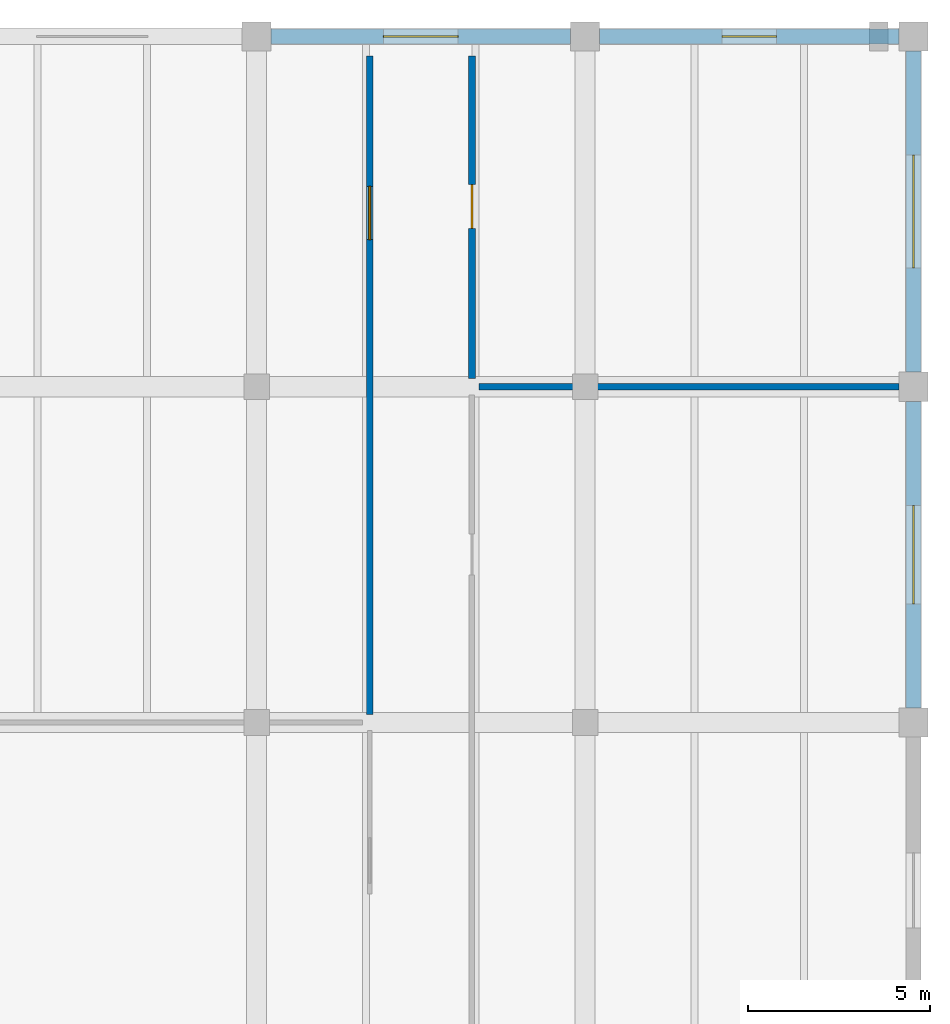
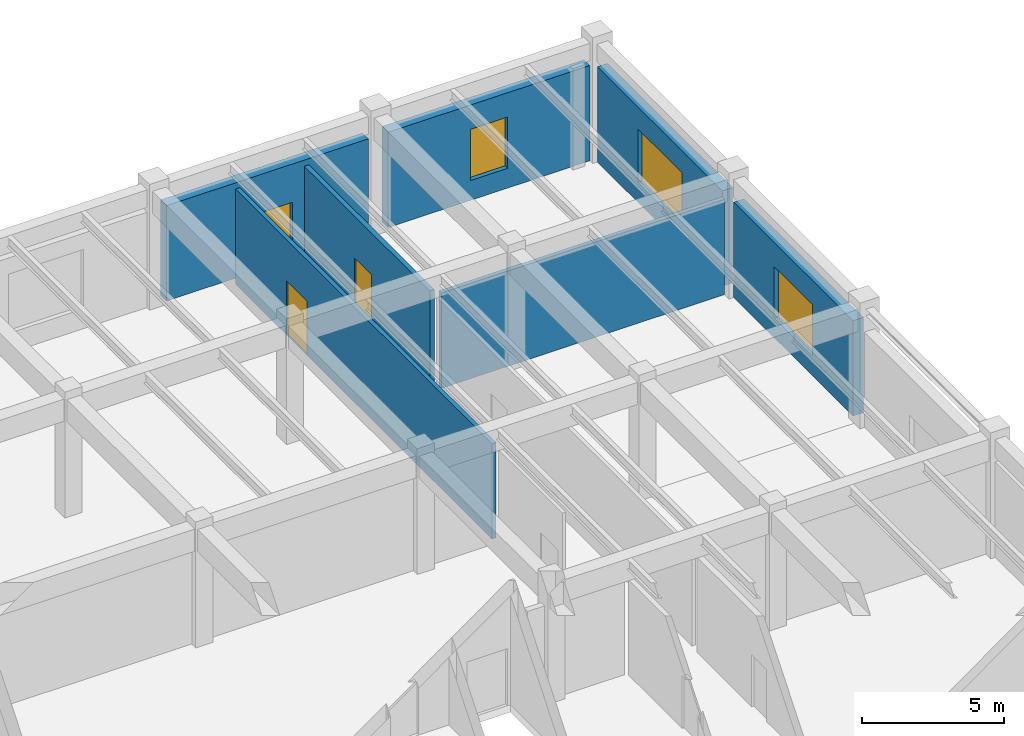
# One storey, part 64 of 76: 7 walls, 3 doors, 3 windows, 6 openings.
"""IFC4 building model written with IfcOpenShell, lengths in metres."""

from ifc_helpers import new_model, si_unit, direction, frame, frame_2d, origin, place, context, subcontext, project, spatial, rectangle, extrude, material, layer, layer_set, type_object, element, fill, save


model = new_model("IFC4")

# Units and contexts
model_context = context("Model", 3, precision=1e-05, world=origin(), true_north=direction((0.0, 1.0)))
body_context = subcontext(model_context, "Body", "Model", "MODEL_VIEW")
ifc_project = project(units=[si_unit("LENGTHUNIT", "METRE"), si_unit("AREAUNIT", "SQUARE_METRE"), si_unit("VOLUMEUNIT", "CUBIC_METRE"), si_unit("PLANEANGLEUNIT", "RADIAN"), si_unit("MASSUNIT", "GRAM", prefix="KILO")], contexts=[model_context])

# Site, building, storey
site_placement = place(None, origin())
site = spatial("IfcSite", under=ifc_project, at=site_placement, CompositionType="ELEMENT")
building_placement = place(site_placement, origin())
building = spatial("IfcBuilding", under=site, at=building_placement, Name="Bozkorgan Art Gallery", CompositionType="ELEMENT")
storey_placement = place(building_placement, origin())
storey = spatial("IfcBuildingStorey", under=building, at=storey_placement, Name="L00", CompositionType="ELEMENT", Elevation=0.0)

# Wall, opening, door
ifc_material_1 = material(Name="Acoustic Gypsum & Mineral Wool Partition")
ifc_layer_1 = layer(ifc_material_1, 0.169921875, Name="Acoustic Gypsum & Mineral Wool Partition")
ifc_layer_set_1 = layer_set([ifc_layer_1], Name="Acoustic Gypsum & Mineral Wool Partition")
wall_type_1 = type_object("IfcWallType", Name="IWALL-PR-40", PredefinedType="PARTITIONING", material=ifc_layer_set_1)
wall_1_placement = place(storey_placement, frame((149.10009765625, 93.820068359375, 0.0), z_axis=(0.0, 0.0, 1.0), x_axis=(0.0, 1.0, 0.0)))
wall_1 = element("IfcWall", 1, at=wall_1_placement, inside=storey, type_object=wall_type_1, Name="V5 L00 acoustic partition wall 290", PredefinedType="PARTITIONING", context=body_context, shape_type="SweptSolid", body=[
    extrude(rectangle(XDim=18.0400390625, YDim=0.169921875, at=frame_2d((9.02001953125, 0.0))), origin(), (0.0, 0.0, 1.0), 4.094970703125),
])
opening_1_placement = place(wall_1_placement, frame((14.4716796875, 0.0, 0.0), z_axis=(0.0, 0.0, 1.0), x_axis=(-1.0, 0.0, 0.0)))
opening_1 = element("IfcOpeningElement", 2, at=opening_1_placement, cuts=wall_1, Name="Opening GD-47", PredefinedType="OPENING", context=body_context, shape_type="SweptSolid", body=[
    extrude(rectangle(XDim=1.4599609375, YDim=2.320068359375, at=frame_2d((0.72998046875, 1.16015625))), frame((0.0, 0.094970703125, 0.0), z_axis=(0.0, -1.0, 0.0), x_axis=(1.0, 0.0, 0.0)), (0.0, 0.0, 1.0), 0.18994140625),
])
ifc_material_2 = material(Name="Oiled European Oak Joinery")
door_type_1 = type_object("IfcDoorType", Name="IDOOR-GD-47", OperationType="NOTDEFINED", PredefinedType="DOOR", material=ifc_material_2)
door_1_placement = place(opening_1_placement, origin())
door_1 = element("IfcDoor", 3, at=door_1_placement, inside=storey, type_object=door_type_1, Name="Registrar Crating Hall Door", OperationType="DOUBLE_DOOR_SINGLE_SWING", OverallHeight=2.320068359375, OverallWidth=1.4599609375, PredefinedType="DOOR", context=body_context, shape_type="SweptSolid", body=[
    extrude(rectangle(XDim=1.4599609375, YDim=2.320068359375, at=frame_2d((0.72998046875, 1.16015625))), frame((0.0, 0.02490234375, 0.0), z_axis=(0.0, -1.0, 0.0), x_axis=(1.0, 0.0, 0.0)), (0.0, 0.0, 1.0), 0.050048828125),
])
fill(opening_1, door_1)

ifc_layer_2 = layer(ifc_material_1, 0.18994140625, Name="Acoustic Gypsum & Mineral Wool Partition")
ifc_layer_set_2 = layer_set([ifc_layer_2], Name="Acoustic Gypsum & Mineral Wool Partition")
wall_type_2 = type_object("IfcWallType", Name="IWALL-PR-66", PredefinedType="PARTITIONING", material=ifc_layer_set_2)
wall_2_placement = place(storey_placement, frame((151.89990234375, 103.02001953125, 0.0), z_axis=(0.0, 0.0, 1.0), x_axis=(0.0, 1.0, 0.0)))
wall_2 = element("IfcWall", 4, at=wall_2_placement, inside=storey, type_object=wall_type_2, Name="V5 L00 acoustic partition wall 297", PredefinedType="PARTITIONING", context=body_context, shape_type="SweptSolid", body=[
    extrude(rectangle(XDim=8.840087890625, YDim=0.18994140625, at=frame_2d((4.419921875, 0.0))), origin(), (0.0, 0.0, 1.0), 4.094970703125),
])
opening_2_placement = place(wall_2_placement, frame((4.12109375, 0.0, 0.0)))
opening_2 = element("IfcOpeningElement", 5, at=opening_2_placement, cuts=wall_2, Name="Opening FD-05", PredefinedType="OPENING", context=body_context, shape_type="SweptSolid", body=[
    extrude(rectangle(XDim=1.199951171875, YDim=2.300048828125, at=frame_2d((0.60009765625, 1.14990234375))), frame((0.0, 0.10498046875, 0.0), z_axis=(0.0, -1.0, 0.0), x_axis=(1.0, 0.0, 0.0)), (0.0, 0.0, 1.0), 0.2099609375),
])
door_type_2 = type_object("IfcDoorType", Name="IDOOR-FD-05", OperationType="NOTDEFINED", PredefinedType="DOOR", material=ifc_material_2)
door_2_placement = place(opening_2_placement, origin())
door_2 = element("IfcDoor", 6, at=door_2_placement, inside=storey, type_object=door_type_2, Name="Staff Locker Room Door", OperationType="SINGLE_SWING_RIGHT", OverallHeight=2.300048828125, OverallWidth=1.199951171875, PredefinedType="DOOR", context=body_context, shape_type="SweptSolid", body=[
    extrude(rectangle(XDim=1.199951171875, YDim=2.300048828125, at=frame_2d((0.60009765625, 1.14990234375))), frame((0.0, 0.02490234375, 0.0), z_axis=(0.0, -1.0, 0.0), x_axis=(1.0, 0.0, 0.0)), (0.0, 0.0, 1.0), 0.050048828125),
])
fill(opening_2, door_2)

# Wall
ifc_layer_3 = layer(ifc_material_1, 0.169921875, Name="Acoustic Gypsum & Mineral Wool Partition")
ifc_layer_set_3 = layer_set([ifc_layer_3], Name="Acoustic Gypsum & Mineral Wool Partition")
wall_type_3 = type_object("IfcWallType", Name="IWALL-PW-02", PredefinedType="PARTITIONING", material=ifc_layer_set_3)
wall_3_placement = place(storey_placement, frame((152.10009765625, 102.800048828125, 0.0), z_axis=(0.0, 0.0, 1.0), x_axis=(1.0, 0.0, 0.0)))
element("IfcWall", 7, at=wall_3_placement, inside=storey, type_object=wall_type_3, Name="V5 L00 acoustic partition wall 296", PredefinedType="PARTITIONING", context=body_context, shape_type="SweptSolid", body=[
    extrude(rectangle(XDim=11.5, YDim=0.169921875, at=frame_2d((5.75, 0.0))), origin(), (0.0, 0.0, 1.0), 4.094970703125),
])

# Wall, opening, door
ifc_material_3 = material(Name="Kordai Rose Granite Ashlar", Category="masonry")
ifc_layer_4 = layer(ifc_material_3, 0.419921875, Name="Kordai Rose Granite Ashlar")
ifc_layer_set_4 = layer_set([ifc_layer_4], Name="Kordai Rose Granite Ashlar")
wall_type_4 = type_object("IfcWallType", Name="WALL-EW-45", PredefinedType="STANDARD", material=ifc_layer_set_4)
wall_4_placement = place(storey_placement, frame((146.39990234375, 112.39990234375, 0.0), z_axis=(0.0, 0.0, 1.0), x_axis=(1.0, 0.0, 0.0)))
wall_4 = element("IfcWall", 8, at=wall_4_placement, inside=storey, type_object=wall_type_4, Name="V5 L00 entrance portal wall (ED16)", PredefinedType="STANDARD", context=body_context, shape_type="SweptSolid", body=[
    extrude(rectangle(XDim=8.2001953125, YDim=0.419921875, at=frame_2d((4.10009765625, 0.0))), origin(), (0.0, 0.0, 1.0), 4.094970703125),
])
opening_3_placement = place(wall_4_placement, frame((3.074951171875, 0.0, 0.0)))
opening_3 = element("IfcOpeningElement", 9, at=opening_3_placement, cuts=wall_4, Name="Opening ED-19", PredefinedType="OPENING", context=body_context, shape_type="SweptSolid", body=[
    extrude(rectangle(XDim=2.050048828125, YDim=2.449951171875, at=frame_2d((1.02490234375, 1.22509765625))), frame((0.0, 0.219970703125, 0.0), z_axis=(0.0, -1.0, 0.0), x_axis=(1.0, 0.0, 0.0)), (0.0, 0.0, 1.0), 0.43994140625),
])
ifc_material_4 = material(Name="Anodised Bronze Aluminium", Category="aluminium")
door_type_3 = type_object("IfcDoorType", Name="DOOR-ED-19", OperationType="NOTDEFINED", PredefinedType="DOOR", material=ifc_material_4)
door_3_placement = place(opening_3_placement, origin())
door_3 = element("IfcDoor", 10, at=door_3_placement, inside=storey, type_object=door_type_3, Name="ED16 Final Exit Portal Door", OperationType="DOUBLE_DOOR_SINGLE_SWING", OverallHeight=2.449951171875, OverallWidth=2.050048828125, PredefinedType="DOOR", context=body_context, shape_type="SweptSolid", body=[
    extrude(rectangle(XDim=2.050048828125, YDim=2.449951171875, at=frame_2d((1.02490234375, 1.22509765625))), frame((0.0, 0.02490234375, 0.0), z_axis=(0.0, -1.0, 0.0), x_axis=(1.0, 0.0, 0.0)), (0.0, 0.0, 1.0), 0.050048828125),
])
fill(opening_3, door_3)

# Wall, opening, window
ifc_layer_5 = layer(ifc_material_3, 0.419921875, Name="Kordai Rose Granite Ashlar")
ifc_layer_set_5 = layer_set([ifc_layer_5], Name="Kordai Rose Granite Ashlar")
wall_type_5 = type_object("IfcWallType", Name="WALL-WG-54", PredefinedType="STANDARD", material=ifc_layer_set_5)
wall_5_placement = place(storey_placement, frame((155.39990234375, 112.39990234375, 0.0), z_axis=(0.0, 0.0, 1.0), x_axis=(1.0, 0.0, 0.0)))
wall_5 = element("IfcWall", 11, at=wall_5_placement, inside=storey, type_object=wall_type_5, Name="V5 L00 exterior facade wall 1N-8", PredefinedType="STANDARD", context=body_context, shape_type="SweptSolid", body=[
    extrude(rectangle(XDim=8.2001953125, YDim=0.419921875, at=frame_2d((4.10009765625, 0.0))), origin(), (0.0, 0.0, 1.0), 4.094970703125),
])
opening_4_placement = place(wall_5_placement, frame((3.35009765625, 0.0, 0.85009765625)))
opening_4 = element("IfcOpeningElement", 12, at=opening_4_placement, cuts=wall_5, Name="Opening WN-07", PredefinedType="OPENING", context=body_context, shape_type="SweptSolid", body=[
    extrude(rectangle(XDim=1.5, YDim=2.199951171875, at=frame_2d((0.75, 1.10009765625))), frame((0.0, 0.219970703125, 0.0), z_axis=(0.0, -1.0, 0.0), x_axis=(1.0, 0.0, 0.0)), (0.0, 0.0, 1.0), 0.43994140625),
])
ifc_material_5 = material(Name="Triple Low-E Laminated Glass", Category="glass")
window_type_1 = type_object("IfcWindowType", Name="WIN-WN-07", PartitioningType="SINGLE_PANEL", PredefinedType="WINDOW", material=ifc_material_5)
window_1_placement = place(opening_4_placement, origin())
window_1 = element("IfcWindow", 13, at=window_1_placement, inside=storey, type_object=window_type_1, Name="V5 L00 gallery window 1N-8", OverallHeight=2.199951171875, OverallWidth=1.5, PartitioningType="SINGLE_PANEL", PredefinedType="WINDOW", context=body_context, shape_type="SweptSolid", body=[
    extrude(rectangle(XDim=1.5, YDim=2.199951171875, at=frame_2d((0.75, 1.10009765625))), frame((0.0, 0.030029296875, 0.0), z_axis=(0.0, -1.0, 0.0), x_axis=(1.0, 0.0, 0.0)), (0.0, 0.0, 1.0), 0.06005859375),
])
fill(opening_4, window_1)

wall_6_placement = place(storey_placement, frame((164.0, 94.0, 0.0), z_axis=(0.0, 0.0, 1.0), x_axis=(0.0, 1.0, 0.0)))
wall_6 = element("IfcWall", 14, at=wall_6_placement, inside=storey, type_object=wall_type_5, Name="V5 L00 exterior facade wall 1E-16", PredefinedType="STANDARD", context=body_context, shape_type="SweptSolid", body=[
    extrude(rectangle(XDim=8.39990234375, YDim=0.419921875, at=frame_2d((4.199951171875, 0.0))), origin(), (0.0, 0.0, 1.0), 4.094970703125),
])
opening_5_placement = place(wall_6_placement, frame((5.550048828125, 0.0, 0.85009765625), z_axis=(0.0, 0.0, 1.0), x_axis=(-1.0, 0.0, 0.0)))
opening_5 = element("IfcOpeningElement", 15, at=opening_5_placement, cuts=wall_6, Name="Opening WN-57", PredefinedType="OPENING", context=body_context, shape_type="SweptSolid", body=[
    extrude(rectangle(XDim=2.699951171875, YDim=2.199951171875, at=frame_2d((1.35009765625, 1.10009765625))), frame((0.0, 0.219970703125, 0.0), z_axis=(0.0, -1.0, 0.0), x_axis=(1.0, 0.0, 0.0)), (0.0, 0.0, 1.0), 0.43994140625),
])
window_type_2 = type_object("IfcWindowType", Name="WIN-WN-57", PartitioningType="SINGLE_PANEL", PredefinedType="WINDOW", material=ifc_material_5)
window_2_placement = place(opening_5_placement, origin())
window_2 = element("IfcWindow", 16, at=window_2_placement, inside=storey, type_object=window_type_2, Name="V5 L00 gallery window 1E-16", OverallHeight=2.199951171875, OverallWidth=2.699951171875, PartitioningType="SINGLE_PANEL", PredefinedType="WINDOW", context=body_context, shape_type="SweptSolid", body=[
    extrude(rectangle(XDim=2.699951171875, YDim=2.199951171875, at=frame_2d((1.35009765625, 1.10009765625))), frame((0.0, 0.030029296875, 0.0), z_axis=(0.0, -1.0, 0.0), x_axis=(1.0, 0.0, 0.0)), (0.0, 0.0, 1.0), 0.06005859375),
])
fill(opening_5, window_2)

wall_7_placement = place(storey_placement, frame((164.0, 103.199951171875, 0.0), z_axis=(0.0, 0.0, 1.0), x_axis=(0.0, 1.0, 0.0)))
wall_7 = element("IfcWall", 17, at=wall_7_placement, inside=storey, type_object=wall_type_5, Name="V5 L00 exterior facade wall 1E-18", PredefinedType="STANDARD", context=body_context, shape_type="SweptSolid", body=[
    extrude(rectangle(XDim=8.800048828125, YDim=0.419921875, at=frame_2d((4.39990234375, 0.0))), origin(), (0.0, 0.0, 1.0), 4.094970703125),
])
opening_6_placement = place(wall_7_placement, frame((5.9501953125, 0.0, 0.85009765625), z_axis=(0.0, 0.0, 1.0), x_axis=(-1.0, 0.0, 0.0)))
opening_6 = element("IfcOpeningElement", 18, at=opening_6_placement, cuts=wall_7, Name="Opening WN-71", PredefinedType="OPENING", context=body_context, shape_type="SweptSolid", body=[
    extrude(rectangle(XDim=3.10009765625, YDim=2.300048828125, at=frame_2d((1.550048828125, 1.14990234375))), frame((0.0, 0.219970703125, 0.0), z_axis=(0.0, -1.0, 0.0), x_axis=(1.0, 0.0, 0.0)), (0.0, 0.0, 1.0), 0.43994140625),
])
window_type_3 = type_object("IfcWindowType", Name="WIN-WN-71", PartitioningType="SINGLE_PANEL", PredefinedType="WINDOW", material=ifc_material_5)
window_3_placement = place(opening_6_placement, origin())
window_3 = element("IfcWindow", 19, at=window_3_placement, inside=storey, type_object=window_type_3, Name="V5 L00 gallery window 1E-18", OverallHeight=2.300048828125, OverallWidth=3.10009765625, PartitioningType="SINGLE_PANEL", PredefinedType="WINDOW", context=body_context, shape_type="SweptSolid", body=[
    extrude(rectangle(XDim=3.10009765625, YDim=2.300048828125, at=frame_2d((1.550048828125, 1.14990234375))), frame((0.0, 0.030029296875, 0.0), z_axis=(0.0, -1.0, 0.0), x_axis=(1.0, 0.0, 0.0)), (0.0, 0.0, 1.0), 0.06005859375),
])
fill(opening_6, window_3)

save(model, "model.ifc")
